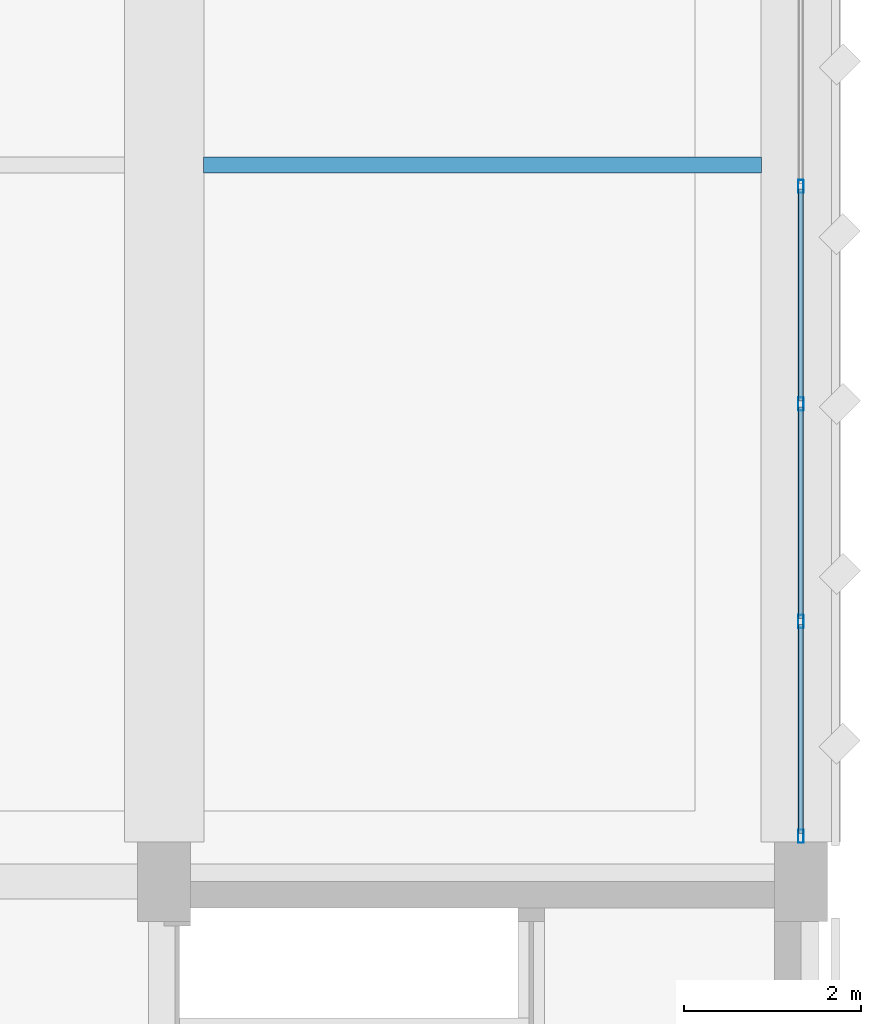
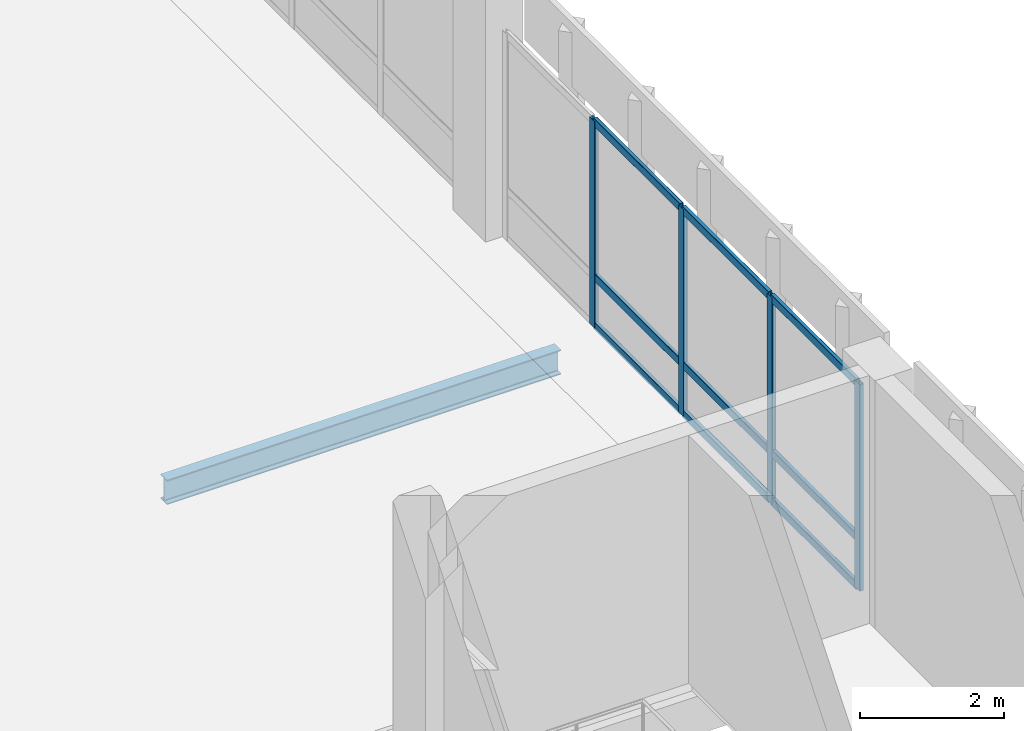
# One storey, part 80 of 158: 13 members, 1 beam, 1 element without a shape of its own.
"""IFC4 building model written with IfcOpenShell, lengths in metres."""

from ifc_helpers import new_model, si_unit, direction, frame, origin, origin_2d, place, context, subcontext, project, spatial, hollow_rectangle, i_section, extrude, material, material_profile, profile_set, type_object, element, aggregate, save


model = new_model("IFC4")

# Units and contexts
model_context = context("Model", 3, precision=1e-05, world=origin(), true_north=direction((0.0, 1.0)))
body_context = subcontext(model_context, "Body", "Model", "MODEL_VIEW")
ifc_project = project(units=[si_unit("LENGTHUNIT", "METRE"), si_unit("AREAUNIT", "SQUARE_METRE"), si_unit("VOLUMEUNIT", "CUBIC_METRE"), si_unit("PLANEANGLEUNIT", "RADIAN"), si_unit("MASSUNIT", "GRAM", prefix="KILO")], contexts=[model_context])

# Site, building, storey
site_placement = place(None, origin())
site = spatial("IfcSite", under=ifc_project, at=site_placement, CompositionType="ELEMENT")
building_placement = place(site_placement, origin())
building = spatial("IfcBuilding", under=site, at=building_placement, Name="Lusvemor Sports Hall", CompositionType="ELEMENT")
storey_placement = place(building_placement, frame((0.0, 0.0, 10.800048828125)))
storey = spatial("IfcBuildingStorey", under=building, at=storey_placement, Name="L02", CompositionType="ELEMENT", Elevation=10.800048828125)

# Beam
ifc_material_1 = material(Name="Steel S355", Category="steel")
ifc_material_profile_1 = material_profile(ifc_material_1, i_section(OverallWidth=0.180908203125, OverallDepth=0.4169921875, WebThickness=0.010986328125, FlangeThickness=0.018310546875, FilletRadius=0.01611328125, at=origin_2d()), Name="W410x85.0")
ifc_profile_set_1 = profile_set([ifc_material_profile_1], Name="Steel S355")
beam_type = type_object("IfcBeamType", Name="BEAM_ST_410H", PredefinedType="BEAM", material=ifc_profile_set_1)
beam_placement = place(storey_placement, frame((162.445068359375, 15.300048828125, -0.5625), z_axis=(1.0, 0.0, 0.0), x_axis=(0.0, 1.0, 0.0)))
element("IfcBeam", 1, at=beam_placement, inside=storey, type_object=beam_type, Name="Transfer Deck Beam 19-20 Row 1", PredefinedType="BEAM", context=body_context, shape_type="SweptSolid", body=[
    extrude(i_section(OverallWidth=0.180908203125, OverallDepth=0.4169921875, WebThickness=0.010986328125, FlangeThickness=0.018310546875, FilletRadius=0.01611328125, at=origin_2d()), origin(), (0.0, 0.0, 1.0), 6.309814453125),
])

# Curtain wall, members
ifc_material_2 = material(Name="Thermally broken bronze-anodized aluminium", Category="aluminium")
curtain_wall_type = type_object("IfcCurtainWallType", Name="CW_COURT_C", PredefinedType="NOTDEFINED", material=ifc_material_2)
curtain_wall_placement = place(storey_placement, origin())
curtain_wall = element("IfcCurtainWall", 2, at=curtain_wall_placement, inside=storey, type_object=curtain_wall_type, Name="Curtain Wall CW-V2E-L02-1", PredefinedType="NOTDEFINED")
ifc_material_3 = material(Name="Thermally broken bronze-anodized aluminium", Category="aluminium")
ifc_material_profile_2 = material_profile(ifc_material_3, hollow_rectangle(XDim=0.06494140625, YDim=0.14990234375, WallThickness=0.00390625, InnerFilletRadius=0.00390625, OuterFilletRadius=0.008056640625, at=origin_2d()), Name="CWMUL150x65x4")
ifc_profile_set_2 = profile_set([ifc_material_profile_2], Name="Thermally broken bronze-anodized aluminium")
member_type_1 = type_object("IfcMemberType", Name="CW_MUL_B", PredefinedType="MULLION", material=ifc_profile_set_2)
member_1_placement = place(storey_placement, frame((169.199951171875, 15.06005859375, 0.0), z_axis=(0.0, 0.0, 1.0), x_axis=(1.0, 0.0, 0.0)))
member_1 = element("IfcMember", 3, at=member_1_placement, type_object=member_type_1, Name="CW03 mullion 2", PredefinedType="MULLION", context=body_context, shape_type="SweptSolid", body=[
    extrude(hollow_rectangle(XDim=0.06494140625, YDim=0.14990234375, WallThickness=0.00390625, InnerFilletRadius=0.00390625, OuterFilletRadius=0.008056640625, at=origin_2d()), origin(), (0.0, 0.0, 1.0), 3.5),
])
member_2_placement = place(storey_placement, frame((169.199951171875, 12.60009765625, 0.0), z_axis=(0.0, 0.0, 1.0), x_axis=(1.0, 0.0, 0.0)))
member_2 = element("IfcMember", 4, at=member_2_placement, type_object=member_type_1, Name="CW03 mullion 3", PredefinedType="MULLION", context=body_context, shape_type="SweptSolid", body=[
    extrude(hollow_rectangle(XDim=0.06494140625, YDim=0.14990234375, WallThickness=0.00390625, InnerFilletRadius=0.00390625, OuterFilletRadius=0.008056640625, at=origin_2d()), origin(), (0.0, 0.0, 1.0), 3.5),
])
member_3_placement = place(storey_placement, frame((169.199951171875, 10.139892578125, 0.0), z_axis=(0.0, 0.0, 1.0), x_axis=(1.0, 0.0, 0.0)))
member_3 = element("IfcMember", 5, at=member_3_placement, type_object=member_type_1, Name="CW03 mullion 4", PredefinedType="MULLION", context=body_context, shape_type="SweptSolid", body=[
    extrude(hollow_rectangle(XDim=0.06494140625, YDim=0.14990234375, WallThickness=0.00390625, InnerFilletRadius=0.00390625, OuterFilletRadius=0.008056640625, at=origin_2d()), origin(), (0.0, 0.0, 1.0), 3.5),
])
member_4_placement = place(storey_placement, frame((169.199951171875, 7.71240234375, 0.0), z_axis=(0.0, 0.0, 1.0), x_axis=(1.0, 0.0, 0.0)))
member_4 = element("IfcMember", 6, at=member_4_placement, type_object=member_type_1, Name="CW03 mullion 5", PredefinedType="MULLION", context=body_context, shape_type="SweptSolid", body=[
    extrude(hollow_rectangle(XDim=0.06494140625, YDim=0.14990234375, WallThickness=0.00390625, InnerFilletRadius=0.00390625, OuterFilletRadius=0.008056640625, at=origin_2d()), origin(), (0.0, 0.0, 1.0), 3.5),
])
ifc_material_4 = material(Name="Thermally broken bronze-anodized aluminium", Category="aluminium")
ifc_material_profile_3 = material_profile(ifc_material_4, hollow_rectangle(XDim=0.06005859375, YDim=0.135009765625, WallThickness=0.00390625, InnerFilletRadius=0.00390625, OuterFilletRadius=0.008056640625, at=origin_2d()), Name="CWTRN135x60x4")
ifc_profile_set_3 = profile_set([ifc_material_profile_3], Name="Thermally broken bronze-anodized aluminium")
member_type_2 = type_object("IfcMemberType", Name="CW_TRN_B", PredefinedType="USERDEFINED", material=ifc_profile_set_3)
member_5_placement = place(storey_placement, frame((169.199951171875, 15.027587890625, 0.030029296875), z_axis=(0.0, -1.0, 0.0), x_axis=(1.0, 0.0, 0.0)))
member_5 = element("IfcMember", 7, at=member_5_placement, type_object=member_type_2, Name="CW03 transom 2.1", ObjectType="TRANSOM", PredefinedType="USERDEFINED", context=body_context, shape_type="SweptSolid", body=[
    extrude(hollow_rectangle(XDim=0.06005859375, YDim=0.135009765625, WallThickness=0.00390625, InnerFilletRadius=0.00390625, OuterFilletRadius=0.008056640625, at=origin_2d()), origin(), (0.0, 0.0, 1.0), 2.39501953125),
])
member_6_placement = place(storey_placement, frame((169.199951171875, 15.027587890625, 0.849853515625), z_axis=(0.0, -1.0, 0.0), x_axis=(1.0, 0.0, 0.0)))
member_6 = element("IfcMember", 8, at=member_6_placement, type_object=member_type_2, Name="CW03 transom 2.2", ObjectType="TRANSOM", PredefinedType="USERDEFINED", context=body_context, shape_type="SweptSolid", body=[
    extrude(hollow_rectangle(XDim=0.06005859375, YDim=0.135009765625, WallThickness=0.00390625, InnerFilletRadius=0.00390625, OuterFilletRadius=0.008056640625, at=origin_2d()), origin(), (0.0, 0.0, 1.0), 2.39501953125),
])
member_7_placement = place(storey_placement, frame((169.199951171875, 15.027587890625, 3.469970703125), z_axis=(0.0, -1.0, 0.0), x_axis=(1.0, 0.0, 0.0)))
member_7 = element("IfcMember", 9, at=member_7_placement, type_object=member_type_2, Name="CW03 transom 2.3", ObjectType="TRANSOM", PredefinedType="USERDEFINED", context=body_context, shape_type="SweptSolid", body=[
    extrude(hollow_rectangle(XDim=0.06005859375, YDim=0.135009765625, WallThickness=0.00390625, InnerFilletRadius=0.00390625, OuterFilletRadius=0.008056640625, at=origin_2d()), origin(), (0.0, 0.0, 1.0), 2.39501953125),
])
member_8_placement = place(storey_placement, frame((169.199951171875, 12.5673828125, 0.030029296875), z_axis=(0.0, -1.0, 0.0), x_axis=(1.0, 0.0, 0.0)))
member_8 = element("IfcMember", 10, at=member_8_placement, type_object=member_type_2, Name="CW03 transom 3.1", ObjectType="TRANSOM", PredefinedType="USERDEFINED", context=body_context, shape_type="SweptSolid", body=[
    extrude(hollow_rectangle(XDim=0.06005859375, YDim=0.135009765625, WallThickness=0.00390625, InnerFilletRadius=0.00390625, OuterFilletRadius=0.008056640625, at=origin_2d()), origin(), (0.0, 0.0, 1.0), 2.394775390625),
])
member_9_placement = place(storey_placement, frame((169.199951171875, 12.5673828125, 0.849853515625), z_axis=(0.0, -1.0, 0.0), x_axis=(1.0, 0.0, 0.0)))
member_9 = element("IfcMember", 11, at=member_9_placement, type_object=member_type_2, Name="CW03 transom 3.2", ObjectType="TRANSOM", PredefinedType="USERDEFINED", context=body_context, shape_type="SweptSolid", body=[
    extrude(hollow_rectangle(XDim=0.06005859375, YDim=0.135009765625, WallThickness=0.00390625, InnerFilletRadius=0.00390625, OuterFilletRadius=0.008056640625, at=origin_2d()), origin(), (0.0, 0.0, 1.0), 2.394775390625),
])
member_10_placement = place(storey_placement, frame((169.199951171875, 12.5673828125, 3.469970703125), z_axis=(0.0, -1.0, 0.0), x_axis=(1.0, 0.0, 0.0)))
member_10 = element("IfcMember", 12, at=member_10_placement, type_object=member_type_2, Name="CW03 transom 3.3", ObjectType="TRANSOM", PredefinedType="USERDEFINED", context=body_context, shape_type="SweptSolid", body=[
    extrude(hollow_rectangle(XDim=0.06005859375, YDim=0.135009765625, WallThickness=0.00390625, InnerFilletRadius=0.00390625, OuterFilletRadius=0.008056640625, at=origin_2d()), origin(), (0.0, 0.0, 1.0), 2.394775390625),
])
member_11_placement = place(storey_placement, frame((169.199951171875, 10.107421875, 0.030029296875), z_axis=(0.0, -1.0, 0.0), x_axis=(1.0, 0.0, 0.0)))
member_11 = element("IfcMember", 13, at=member_11_placement, type_object=member_type_2, Name="CW03 transom 4.1", ObjectType="TRANSOM", PredefinedType="USERDEFINED", context=body_context, shape_type="SweptSolid", body=[
    extrude(hollow_rectangle(XDim=0.06005859375, YDim=0.135009765625, WallThickness=0.00390625, InnerFilletRadius=0.00390625, OuterFilletRadius=0.008056640625, at=origin_2d()), origin(), (0.0, 0.0, 1.0), 2.3623046875),
])
member_12_placement = place(storey_placement, frame((169.199951171875, 10.107421875, 0.849853515625), z_axis=(0.0, -1.0, 0.0), x_axis=(1.0, 0.0, 0.0)))
member_12 = element("IfcMember", 14, at=member_12_placement, type_object=member_type_2, Name="CW03 transom 4.2", ObjectType="TRANSOM", PredefinedType="USERDEFINED", context=body_context, shape_type="SweptSolid", body=[
    extrude(hollow_rectangle(XDim=0.06005859375, YDim=0.135009765625, WallThickness=0.00390625, InnerFilletRadius=0.00390625, OuterFilletRadius=0.008056640625, at=origin_2d()), origin(), (0.0, 0.0, 1.0), 2.3623046875),
])
member_13_placement = place(storey_placement, frame((169.199951171875, 10.107421875, 3.469970703125), z_axis=(0.0, -1.0, 0.0), x_axis=(1.0, 0.0, 0.0)))
member_13 = element("IfcMember", 15, at=member_13_placement, type_object=member_type_2, Name="CW03 transom 4.3", ObjectType="TRANSOM", PredefinedType="USERDEFINED", context=body_context, shape_type="SweptSolid", body=[
    extrude(hollow_rectangle(XDim=0.06005859375, YDim=0.135009765625, WallThickness=0.00390625, InnerFilletRadius=0.00390625, OuterFilletRadius=0.008056640625, at=origin_2d()), origin(), (0.0, 0.0, 1.0), 2.3623046875),
])
aggregate(curtain_wall, [member_1, member_2, member_3, member_4, member_5, member_6, member_7, member_8, member_9, member_10, member_11, member_12, member_13])

save(model, "model.ifc")
